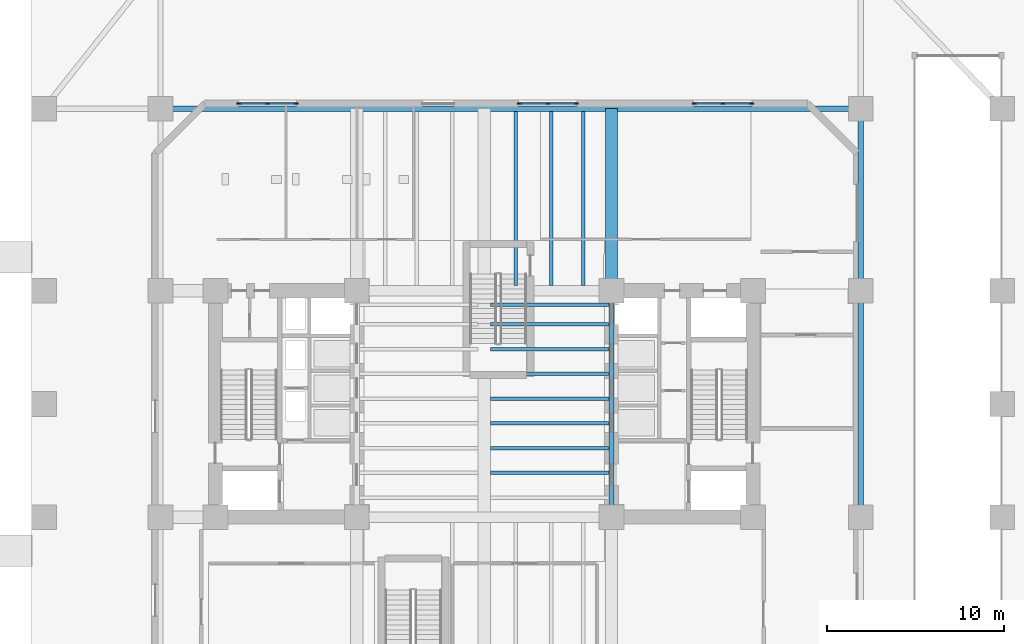
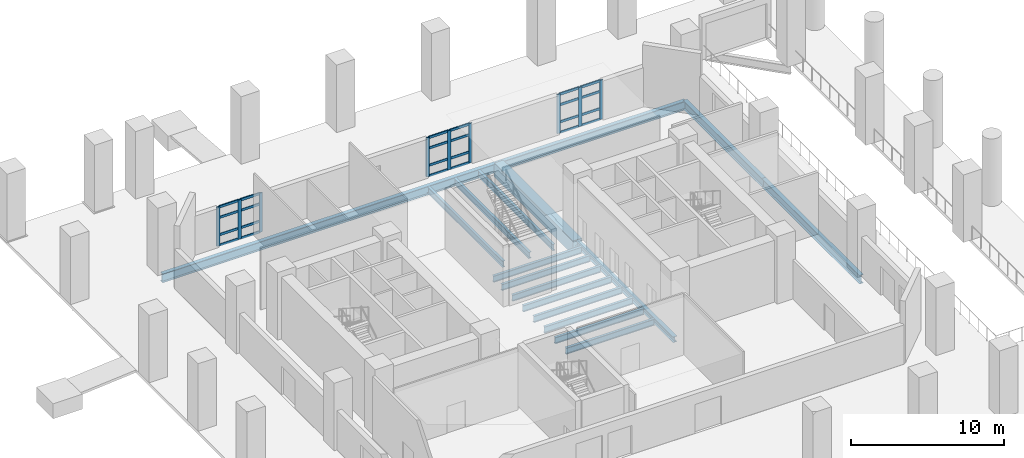
# One storey, part 2 of 12: 33 members, 16 beams, 3 elements without a shape of their own.
"""IFC4 building model written with IfcOpenShell, lengths in metres."""

from ifc_helpers import new_model, si_unit, direction, frame, origin, origin_2d, place, context, subcontext, project, spatial, rectangle, i_section, extrude, material, layer, layer_set, material_profile, profile_set, type_object, element, aggregate, save


model = new_model("IFC4")

# Units and contexts
model_context = context("Model", 3, precision=1e-05, world=origin(), true_north=direction((0.0, 1.0)))
body_context = subcontext(model_context, "Body", "Model", "MODEL_VIEW")
ifc_project = project(units=[si_unit("LENGTHUNIT", "METRE"), si_unit("AREAUNIT", "SQUARE_METRE"), si_unit("VOLUMEUNIT", "CUBIC_METRE"), si_unit("PLANEANGLEUNIT", "RADIAN"), si_unit("MASSUNIT", "GRAM", prefix="KILO")], contexts=[model_context])

# Site, building, storey
site_placement = place(None, origin())
site = spatial("IfcSite", under=ifc_project, at=site_placement, CompositionType="ELEMENT")
building_placement = place(site_placement, origin())
building = spatial("IfcBuilding", under=site, at=building_placement, Name="Kranthara Brick Stack", CompositionType="ELEMENT")
storey_placement = place(building_placement, origin())
storey = spatial("IfcBuildingStorey", under=building, at=storey_placement, Name="L00", CompositionType="ELEMENT", Elevation=0.0)

# Beams
ifc_material_1 = material(Name="Steel S355", Category="steel")
ifc_material_profile_1 = material_profile(ifc_material_1, i_section(OverallWidth=0.199951171875, OverallDepth=0.5, WebThickness=0.01025390625, FlangeThickness=0.01611328125, at=origin_2d()), Name="IPE 500")
ifc_profile_set_1 = profile_set([ifc_material_profile_1], Name="Steel S355")
beam_type_1 = type_object("IfcBeamType", Name="BM-JST-IPE500", PredefinedType="JOIST", material=ifc_profile_set_1)
for number, where, z_axis, x_axis, name in (
    (1, (28.35009765625, 23.300048828125, -0.699951171875), (1.0, 0.0, 0.0), (0.0, 1.0, 0.0), "L00 Central Floor Joist 035"),
    (2, (28.35009765625, 24.699951171875, -0.699951171875), (1.0, 0.0, 0.0), (0.0, 1.0, 0.0), "L00 Central Floor Joist 037"),
    (3, (28.35009765625, 26.10009765625, -0.699951171875), (1.0, 0.0, 0.0), (0.0, 1.0, 0.0), "L00 Central Floor Joist 039"),
    (4, (28.35009765625, 27.5, -0.699951171875), (1.0, 0.0, 0.0), (0.0, 1.0, 0.0), "L00 Central Floor Joist 041"),
    (5, (28.35009765625, 28.89990234375, -0.699951171875), (1.0, 0.0, 0.0), (0.0, 1.0, 0.0), "L00 Central Floor Joist 043"),
    (6, (28.35009765625, 30.300048828125, -0.699951171875), (1.0, 0.0, 0.0), (0.0, 1.0, 0.0), "L00 Central Floor Joist 045"),
    (7, (28.35009765625, 31.699951171875, -0.699951171875), (1.0, 0.0, 0.0), (0.0, 1.0, 0.0), "L00 Central Floor Joist 047"),
    (8, (28.35009765625, 32.800048828125, -0.699951171875), (1.0, 0.0, 0.0), (0.0, 1.0, 0.0), "L00 Central Floor Joist 049"),
):
    element("IfcBeam", number, at=place(storey_placement, frame(where, z_axis=z_axis, x_axis=x_axis)), inside=storey, type_object=beam_type_1, Name=name, PredefinedType="JOIST", context=body_context, shape_type="SweptSolid", body=[
        extrude(i_section(OverallWidth=0.199951171875, OverallDepth=0.5, WebThickness=0.01025390625, FlangeThickness=0.01611328125, at=origin_2d()), origin(), (0.0, 0.0, 1.0), 6.699951171875),
    ])
for number, where, z_axis, x_axis, name in (
    (9, (29.800048828125, 33.89990234375, -0.699951171875), (0.0, 1.0, 0.0), (-1.0, 0.0, 0.0), "L00 North Wing Floor Joist 055"),
    (10, (31.800048828125, 33.89990234375, -0.699951171875), (0.0, 1.0, 0.0), (-1.0, 0.0, 0.0), "L00 North Wing Floor Joist 057"),
    (11, (33.60009765625, 33.89990234375, -0.699951171875), (0.0, 1.0, 0.0), (-1.0, 0.0, 0.0), "L00 North Wing Floor Joist 059"),
):
    element("IfcBeam", number, at=place(storey_placement, frame(where, z_axis=z_axis, x_axis=x_axis)), inside=storey, type_object=beam_type_1, Name=name, PredefinedType="JOIST", context=body_context, shape_type="SweptSolid", body=[
        extrude(i_section(OverallWidth=0.199951171875, OverallDepth=0.5, WebThickness=0.01025390625, FlangeThickness=0.01611328125, at=origin_2d()), origin(), (0.0, 0.0, 1.0), 9.85009765625),
    ])
ifc_material_2 = material(Name="Post-tensioned concrete C45/55", Category="concrete")
ifc_material_profile_2 = material_profile(ifc_material_2, rectangle(XDim=0.699951171875, YDim=1.10009765625, at=origin_2d()), Name="PT 700x1100")
ifc_profile_set_2 = profile_set([ifc_material_profile_2], Name="Post-tensioned concrete C45/55")
beam_type_2 = type_object("IfcBeamType", Name="BM-POD-PT1100", PredefinedType="BEAM", material=ifc_profile_set_2)
beam_1_placement = place(storey_placement, frame((35.199951171875, 33.60009765625, -1.0), z_axis=(0.0, 1.0, 0.0), x_axis=(-1.0, 0.0, 0.0)))
element("IfcBeam", 12, at=beam_1_placement, inside=storey, type_object=beam_type_2, Name="L00 Primary Grid Girder 029", PredefinedType="BEAM", context=body_context, shape_type="SweptSolid", body=[
    extrude(rectangle(XDim=0.699951171875, YDim=1.10009765625, at=origin_2d()), origin(), (0.0, 0.0, 1.0), 10.2998046875),
])
ifc_material_3 = material(Name="Steel S355", Category="steel")
ifc_material_profile_3 = material_profile(ifc_material_3, i_section(OverallWidth=0.300048828125, OverallDepth=0.449951171875, WebThickness=0.013916015625, FlangeThickness=0.02587890625, at=origin_2d()), Name="HEB 450")
ifc_profile_set_3 = profile_set([ifc_material_profile_3], Name="Steel S355")
beam_type_3 = type_object("IfcBeamType", Name="BM-STL-HEB450", PredefinedType="SPANDREL", material=ifc_profile_set_3)
beam_2_placement = place(storey_placement, frame((35.199951171875, 20.800048828125, -0.675048828125), z_axis=(0.0, 1.0, 0.0), x_axis=(-1.0, 0.0, 0.0)))
element("IfcBeam", 13, at=beam_2_placement, inside=storey, type_object=beam_type_3, Name="L00 Core Edge Tie Beam 004", PredefinedType="SPANDREL", context=body_context, shape_type="SweptSolid", body=[
    extrude(i_section(OverallWidth=0.300048828125, OverallDepth=0.449951171875, WebThickness=0.013916015625, FlangeThickness=0.02587890625, at=origin_2d()), origin(), (0.0, 0.0, 1.0), 12.800048828125),
])
ifc_material_4 = material(Name="Steel S355", Category="steel")
ifc_material_profile_4 = material_profile(ifc_material_4, i_section(OverallWidth=0.300048828125, OverallDepth=0.699951171875, WebThickness=0.01708984375, FlangeThickness=0.031982421875, at=origin_2d()), Name="HEB 700")
ifc_profile_set_4 = profile_set([ifc_material_profile_4], Name="Steel S355")
beam_type_4 = type_object("IfcBeamType", Name="BM-STL-HEB700", PredefinedType="BEAM", material=ifc_profile_set_4)
beam_3_placement = place(storey_placement, frame((9.699951171875, 43.89990234375, -0.800048828125), z_axis=(1.0, 0.0, 0.0), x_axis=(0.0, 1.0, 0.0)))
element("IfcBeam", 14, at=beam_3_placement, inside=storey, type_object=beam_type_4, Name="L00 Perimeter Spandrel Beam 008", PredefinedType="BEAM", context=body_context, shape_type="SweptSolid", body=[
    extrude(i_section(OverallWidth=0.300048828125, OverallDepth=0.699951171875, WebThickness=0.01708984375, FlangeThickness=0.031982421875, at=origin_2d()), origin(), (0.0, 0.0, 1.0), 39.60009765625),
])
beam_4_placement = place(storey_placement, frame((49.300048828125, 20.800048828125, -0.800048828125), z_axis=(0.0, 1.0, 0.0), x_axis=(-1.0, 0.0, 0.0)))
element("IfcBeam", 15, at=beam_4_placement, inside=storey, type_object=beam_type_4, Name="L00 Perimeter Spandrel Beam 016", PredefinedType="BEAM", context=body_context, shape_type="SweptSolid", body=[
    extrude(i_section(OverallWidth=0.300048828125, OverallDepth=0.699951171875, WebThickness=0.01708984375, FlangeThickness=0.031982421875, at=origin_2d()), origin(), (0.0, 0.0, 1.0), 12.800048828125),
])
beam_5_placement = place(storey_placement, frame((49.300048828125, 33.60009765625, -0.800048828125), z_axis=(0.0, 1.0, 0.0), x_axis=(-1.0, 0.0, 0.0)))
element("IfcBeam", 16, at=beam_5_placement, inside=storey, type_object=beam_type_4, Name="L00 Perimeter Spandrel Beam 017", PredefinedType="BEAM", context=body_context, shape_type="SweptSolid", body=[
    extrude(i_section(OverallWidth=0.300048828125, OverallDepth=0.699951171875, WebThickness=0.01708984375, FlangeThickness=0.031982421875, at=origin_2d()), origin(), (0.0, 0.0, 1.0), 10.2998046875),
])

# Curtain wall, members
ifc_material_5 = material(Name="Bronze anodised aluminium and low-E glass", Category="aluminium")
ifc_layer = layer(ifc_material_5, 0.25)
ifc_layer_set = layer_set([ifc_layer], Name="Bronze anodised aluminium and low-E glass")
curtain_wall_type = type_object("IfcCurtainWallType", Name="CW-SYS1-CONCOURSE", PredefinedType="USERDEFINED", material=ifc_layer_set)
curtain_wall_1_placement = place(storey_placement, origin())
curtain_wall_1 = element("IfcCurtainWall", 17, at=curtain_wall_1_placement, inside=storey, type_object=curtain_wall_type, Name="L00 Curtain Wall CW1-L00-01", ObjectType="UNITISED CURTAIN WALL", PredefinedType="USERDEFINED")
ifc_material_6 = material(Name="Bronze anodised aluminium 6063-T6", Category="aluminium")
ifc_material_profile_5 = material_profile(ifc_material_6, rectangle(XDim=0.080078125, YDim=0.25, at=origin_2d()), Name="ALU MULLION 80x250")
ifc_profile_set_5 = profile_set([ifc_material_profile_5], Name="Bronze anodised aluminium 6063-T6")
member_type_1 = type_object("IfcMemberType", Name="CWM-80x250", PredefinedType="MULLION", material=ifc_profile_set_5)
member_1_placement = place(storey_placement, frame((14.139892578125, 44.18994140625, 0.0), z_axis=(0.0, 0.0, 1.0), x_axis=(0.0, 1.0, 0.0)))
member_1 = element("IfcMember", 18, at=member_1_placement, type_object=member_type_1, Name="CW mullion 1", PredefinedType="MULLION", context=body_context, shape_type="SweptSolid", body=[
    extrude(rectangle(XDim=0.080078125, YDim=0.25, at=origin_2d()), origin(), (0.0, 0.0, 1.0), 3.135009765625),
])
member_2_placement = place(storey_placement, frame((15.75, 44.18994140625, 0.0), z_axis=(0.0, 0.0, 1.0), x_axis=(0.0, 1.0, 0.0)))
member_2 = element("IfcMember", 19, at=member_2_placement, type_object=member_type_1, Name="CW mullion 2", PredefinedType="MULLION", context=body_context, shape_type="SweptSolid", body=[
    extrude(rectangle(XDim=0.080078125, YDim=0.25, at=origin_2d()), origin(), (0.0, 0.0, 1.0), 3.135009765625),
])
member_3_placement = place(storey_placement, frame((17.360107421875, 44.18994140625, 0.0), z_axis=(0.0, 0.0, 1.0), x_axis=(0.0, 1.0, 0.0)))
member_3 = element("IfcMember", 20, at=member_3_placement, type_object=member_type_1, Name="CW mullion 3", PredefinedType="MULLION", context=body_context, shape_type="SweptSolid", body=[
    extrude(rectangle(XDim=0.080078125, YDim=0.25, at=origin_2d()), origin(), (0.0, 0.0, 1.0), 3.135009765625),
])

curtain_wall_2_placement = place(storey_placement, origin())
curtain_wall_2 = element("IfcCurtainWall", 21, at=curtain_wall_2_placement, inside=storey, type_object=curtain_wall_type, Name="L00 Curtain Wall CW1-L00-02", ObjectType="UNITISED CURTAIN WALL", PredefinedType="USERDEFINED")
member_4_placement = place(storey_placement, frame((29.989990234375, 44.18994140625, 0.0), z_axis=(0.0, 0.0, 1.0), x_axis=(0.0, 1.0, 0.0)))
member_4 = element("IfcMember", 22, at=member_4_placement, type_object=member_type_1, Name="CW mullion 1", PredefinedType="MULLION", context=body_context, shape_type="SweptSolid", body=[
    extrude(rectangle(XDim=0.080078125, YDim=0.25, at=origin_2d()), origin(), (0.0, 0.0, 1.0), 3.135009765625),
])
member_5_placement = place(storey_placement, frame((31.60009765625, 44.18994140625, 0.0), z_axis=(0.0, 0.0, 1.0), x_axis=(0.0, 1.0, 0.0)))
member_5 = element("IfcMember", 23, at=member_5_placement, type_object=member_type_1, Name="CW mullion 2", PredefinedType="MULLION", context=body_context, shape_type="SweptSolid", body=[
    extrude(rectangle(XDim=0.080078125, YDim=0.25, at=origin_2d()), origin(), (0.0, 0.0, 1.0), 3.135009765625),
])
member_6_placement = place(storey_placement, frame((33.2099609375, 44.18994140625, 0.0), z_axis=(0.0, 0.0, 1.0), x_axis=(0.0, 1.0, 0.0)))
member_6 = element("IfcMember", 24, at=member_6_placement, type_object=member_type_1, Name="CW mullion 3", PredefinedType="MULLION", context=body_context, shape_type="SweptSolid", body=[
    extrude(rectangle(XDim=0.080078125, YDim=0.25, at=origin_2d()), origin(), (0.0, 0.0, 1.0), 3.135009765625),
])

curtain_wall_3_placement = place(storey_placement, origin())
curtain_wall_3 = element("IfcCurtainWall", 25, at=curtain_wall_3_placement, inside=storey, type_object=curtain_wall_type, Name="L00 Curtain Wall CW1-L00-03", ObjectType="UNITISED CURTAIN WALL", PredefinedType="USERDEFINED")
member_7_placement = place(storey_placement, frame((39.889892578125, 44.18994140625, 0.0), z_axis=(0.0, 0.0, 1.0), x_axis=(0.0, 1.0, 0.0)))
member_7 = element("IfcMember", 26, at=member_7_placement, type_object=member_type_1, Name="CW mullion 1", PredefinedType="MULLION", context=body_context, shape_type="SweptSolid", body=[
    extrude(rectangle(XDim=0.080078125, YDim=0.25, at=origin_2d()), origin(), (0.0, 0.0, 1.0), 3.135009765625),
])
member_8_placement = place(storey_placement, frame((41.5, 44.18994140625, 0.0), z_axis=(0.0, 0.0, 1.0), x_axis=(0.0, 1.0, 0.0)))
member_8 = element("IfcMember", 27, at=member_8_placement, type_object=member_type_1, Name="CW mullion 2", PredefinedType="MULLION", context=body_context, shape_type="SweptSolid", body=[
    extrude(rectangle(XDim=0.080078125, YDim=0.25, at=origin_2d()), origin(), (0.0, 0.0, 1.0), 3.135009765625),
])
member_9_placement = place(storey_placement, frame((43.110107421875, 44.18994140625, 0.0), z_axis=(0.0, 0.0, 1.0), x_axis=(0.0, 1.0, 0.0)))
member_9 = element("IfcMember", 28, at=member_9_placement, type_object=member_type_1, Name="CW mullion 3", PredefinedType="MULLION", context=body_context, shape_type="SweptSolid", body=[
    extrude(rectangle(XDim=0.080078125, YDim=0.25, at=origin_2d()), origin(), (0.0, 0.0, 1.0), 3.135009765625),
])

# Member
ifc_material_7 = material(Name="Bronze anodised aluminium 6063-T6", Category="aluminium")
ifc_material_profile_6 = material_profile(ifc_material_7, rectangle(XDim=0.080078125, YDim=0.18994140625, at=origin_2d()), Name="ALU TRANSOM 80x190")
ifc_profile_set_6 = profile_set([ifc_material_profile_6], Name="Bronze anodised aluminium 6063-T6")
member_type_2 = type_object("IfcMemberType", Name="CWT-80x190", PredefinedType="USERDEFINED", material=ifc_profile_set_6)
member_10_placement = place(storey_placement, frame((14.179931640625, 44.18994140625, 0.0400390625), z_axis=(1.0, 0.0, 0.0), x_axis=(0.0, 1.0, 0.0)))
member_10 = element("IfcMember", 29, at=member_10_placement, type_object=member_type_2, Name="CW transom 1.1", ObjectType="TRANSOM", PredefinedType="USERDEFINED", context=body_context, shape_type="SweptSolid", body=[
    extrude(rectangle(XDim=0.080078125, YDim=0.18994140625, at=origin_2d()), origin(), (0.0, 0.0, 1.0), 1.530029296875),
])

member_11_placement = place(storey_placement, frame((14.179931640625, 44.18994140625, 0.877685546875), z_axis=(1.0, 0.0, 0.0), x_axis=(0.0, 1.0, 0.0)))
member_11 = element("IfcMember", 30, at=member_11_placement, type_object=member_type_2, Name="CW transom 1.2", ObjectType="TRANSOM", PredefinedType="USERDEFINED", context=body_context, shape_type="SweptSolid", body=[
    extrude(rectangle(XDim=0.080078125, YDim=0.18994140625, at=origin_2d()), origin(), (0.0, 0.0, 1.0), 1.530029296875),
])

member_12_placement = place(storey_placement, frame((14.179931640625, 44.18994140625, 2.257080078125), z_axis=(1.0, 0.0, 0.0), x_axis=(0.0, 1.0, 0.0)))
member_12 = element("IfcMember", 31, at=member_12_placement, type_object=member_type_2, Name="CW transom 1.3", ObjectType="TRANSOM", PredefinedType="USERDEFINED", context=body_context, shape_type="SweptSolid", body=[
    extrude(rectangle(XDim=0.080078125, YDim=0.18994140625, at=origin_2d()), origin(), (0.0, 0.0, 1.0), 1.530029296875),
])

member_13_placement = place(storey_placement, frame((14.179931640625, 44.18994140625, 3.094970703125), z_axis=(1.0, 0.0, 0.0), x_axis=(0.0, 1.0, 0.0)))
member_13 = element("IfcMember", 32, at=member_13_placement, type_object=member_type_2, Name="CW transom 1.4", ObjectType="TRANSOM", PredefinedType="USERDEFINED", context=body_context, shape_type="SweptSolid", body=[
    extrude(rectangle(XDim=0.080078125, YDim=0.18994140625, at=origin_2d()), origin(), (0.0, 0.0, 1.0), 1.530029296875),
])

member_14_placement = place(storey_placement, frame((15.7900390625, 44.18994140625, 0.0400390625), z_axis=(1.0, 0.0, 0.0), x_axis=(0.0, 1.0, 0.0)))
member_14 = element("IfcMember", 33, at=member_14_placement, type_object=member_type_2, Name="CW transom 2.1", ObjectType="TRANSOM", PredefinedType="USERDEFINED", context=body_context, shape_type="SweptSolid", body=[
    extrude(rectangle(XDim=0.080078125, YDim=0.18994140625, at=origin_2d()), origin(), (0.0, 0.0, 1.0), 1.530029296875),
])

member_15_placement = place(storey_placement, frame((15.7900390625, 44.18994140625, 0.877685546875), z_axis=(1.0, 0.0, 0.0), x_axis=(0.0, 1.0, 0.0)))
member_15 = element("IfcMember", 34, at=member_15_placement, type_object=member_type_2, Name="CW transom 2.2", ObjectType="TRANSOM", PredefinedType="USERDEFINED", context=body_context, shape_type="SweptSolid", body=[
    extrude(rectangle(XDim=0.080078125, YDim=0.18994140625, at=origin_2d()), origin(), (0.0, 0.0, 1.0), 1.530029296875),
])

member_16_placement = place(storey_placement, frame((15.7900390625, 44.18994140625, 2.257080078125), z_axis=(1.0, 0.0, 0.0), x_axis=(0.0, 1.0, 0.0)))
member_16 = element("IfcMember", 35, at=member_16_placement, type_object=member_type_2, Name="CW transom 2.3", ObjectType="TRANSOM", PredefinedType="USERDEFINED", context=body_context, shape_type="SweptSolid", body=[
    extrude(rectangle(XDim=0.080078125, YDim=0.18994140625, at=origin_2d()), origin(), (0.0, 0.0, 1.0), 1.530029296875),
])

member_17_placement = place(storey_placement, frame((15.7900390625, 44.18994140625, 3.094970703125), z_axis=(1.0, 0.0, 0.0), x_axis=(0.0, 1.0, 0.0)))
member_17 = element("IfcMember", 36, at=member_17_placement, type_object=member_type_2, Name="CW transom 2.4", ObjectType="TRANSOM", PredefinedType="USERDEFINED", context=body_context, shape_type="SweptSolid", body=[
    extrude(rectangle(XDim=0.080078125, YDim=0.18994140625, at=origin_2d()), origin(), (0.0, 0.0, 1.0), 1.530029296875),
])

aggregate(curtain_wall_1, [member_1, member_2, member_3, member_10, member_11, member_12, member_13, member_14, member_15, member_16, member_17])

member_18_placement = place(storey_placement, frame((30.030029296875, 44.18994140625, 0.0400390625), z_axis=(1.0, 0.0, 0.0), x_axis=(0.0, 1.0, 0.0)))
member_18 = element("IfcMember", 37, at=member_18_placement, type_object=member_type_2, Name="CW transom 1.1", ObjectType="TRANSOM", PredefinedType="USERDEFINED", context=body_context, shape_type="SweptSolid", body=[
    extrude(rectangle(XDim=0.080078125, YDim=0.18994140625, at=origin_2d()), origin(), (0.0, 0.0, 1.0), 1.530029296875),
])

member_19_placement = place(storey_placement, frame((30.030029296875, 44.18994140625, 0.877685546875), z_axis=(1.0, 0.0, 0.0), x_axis=(0.0, 1.0, 0.0)))
member_19 = element("IfcMember", 38, at=member_19_placement, type_object=member_type_2, Name="CW transom 1.2", ObjectType="TRANSOM", PredefinedType="USERDEFINED", context=body_context, shape_type="SweptSolid", body=[
    extrude(rectangle(XDim=0.080078125, YDim=0.18994140625, at=origin_2d()), origin(), (0.0, 0.0, 1.0), 1.530029296875),
])

member_20_placement = place(storey_placement, frame((30.030029296875, 44.18994140625, 2.257080078125), z_axis=(1.0, 0.0, 0.0), x_axis=(0.0, 1.0, 0.0)))
member_20 = element("IfcMember", 39, at=member_20_placement, type_object=member_type_2, Name="CW transom 1.3", ObjectType="TRANSOM", PredefinedType="USERDEFINED", context=body_context, shape_type="SweptSolid", body=[
    extrude(rectangle(XDim=0.080078125, YDim=0.18994140625, at=origin_2d()), origin(), (0.0, 0.0, 1.0), 1.530029296875),
])

member_21_placement = place(storey_placement, frame((30.030029296875, 44.18994140625, 3.094970703125), z_axis=(1.0, 0.0, 0.0), x_axis=(0.0, 1.0, 0.0)))
member_21 = element("IfcMember", 40, at=member_21_placement, type_object=member_type_2, Name="CW transom 1.4", ObjectType="TRANSOM", PredefinedType="USERDEFINED", context=body_context, shape_type="SweptSolid", body=[
    extrude(rectangle(XDim=0.080078125, YDim=0.18994140625, at=origin_2d()), origin(), (0.0, 0.0, 1.0), 1.530029296875),
])

member_22_placement = place(storey_placement, frame((31.639892578125, 44.18994140625, 0.0400390625), z_axis=(1.0, 0.0, 0.0), x_axis=(0.0, 1.0, 0.0)))
member_22 = element("IfcMember", 41, at=member_22_placement, type_object=member_type_2, Name="CW transom 2.1", ObjectType="TRANSOM", PredefinedType="USERDEFINED", context=body_context, shape_type="SweptSolid", body=[
    extrude(rectangle(XDim=0.080078125, YDim=0.18994140625, at=origin_2d()), origin(), (0.0, 0.0, 1.0), 1.530029296875),
])

member_23_placement = place(storey_placement, frame((31.639892578125, 44.18994140625, 0.877685546875), z_axis=(1.0, 0.0, 0.0), x_axis=(0.0, 1.0, 0.0)))
member_23 = element("IfcMember", 42, at=member_23_placement, type_object=member_type_2, Name="CW transom 2.2", ObjectType="TRANSOM", PredefinedType="USERDEFINED", context=body_context, shape_type="SweptSolid", body=[
    extrude(rectangle(XDim=0.080078125, YDim=0.18994140625, at=origin_2d()), origin(), (0.0, 0.0, 1.0), 1.530029296875),
])

member_24_placement = place(storey_placement, frame((31.639892578125, 44.18994140625, 2.257080078125), z_axis=(1.0, 0.0, 0.0), x_axis=(0.0, 1.0, 0.0)))
member_24 = element("IfcMember", 43, at=member_24_placement, type_object=member_type_2, Name="CW transom 2.3", ObjectType="TRANSOM", PredefinedType="USERDEFINED", context=body_context, shape_type="SweptSolid", body=[
    extrude(rectangle(XDim=0.080078125, YDim=0.18994140625, at=origin_2d()), origin(), (0.0, 0.0, 1.0), 1.530029296875),
])

member_25_placement = place(storey_placement, frame((31.639892578125, 44.18994140625, 3.094970703125), z_axis=(1.0, 0.0, 0.0), x_axis=(0.0, 1.0, 0.0)))
member_25 = element("IfcMember", 44, at=member_25_placement, type_object=member_type_2, Name="CW transom 2.4", ObjectType="TRANSOM", PredefinedType="USERDEFINED", context=body_context, shape_type="SweptSolid", body=[
    extrude(rectangle(XDim=0.080078125, YDim=0.18994140625, at=origin_2d()), origin(), (0.0, 0.0, 1.0), 1.530029296875),
])

aggregate(curtain_wall_2, [member_4, member_5, member_6, member_18, member_19, member_20, member_21, member_22, member_23, member_24, member_25])

member_26_placement = place(storey_placement, frame((39.929931640625, 44.18994140625, 0.0400390625), z_axis=(1.0, 0.0, 0.0), x_axis=(0.0, 1.0, 0.0)))
member_26 = element("IfcMember", 45, at=member_26_placement, type_object=member_type_2, Name="CW transom 1.1", ObjectType="TRANSOM", PredefinedType="USERDEFINED", context=body_context, shape_type="SweptSolid", body=[
    extrude(rectangle(XDim=0.080078125, YDim=0.18994140625, at=origin_2d()), origin(), (0.0, 0.0, 1.0), 1.530029296875),
])

member_27_placement = place(storey_placement, frame((39.929931640625, 44.18994140625, 0.877685546875), z_axis=(1.0, 0.0, 0.0), x_axis=(0.0, 1.0, 0.0)))
member_27 = element("IfcMember", 46, at=member_27_placement, type_object=member_type_2, Name="CW transom 1.2", ObjectType="TRANSOM", PredefinedType="USERDEFINED", context=body_context, shape_type="SweptSolid", body=[
    extrude(rectangle(XDim=0.080078125, YDim=0.18994140625, at=origin_2d()), origin(), (0.0, 0.0, 1.0), 1.530029296875),
])

member_28_placement = place(storey_placement, frame((39.929931640625, 44.18994140625, 2.257080078125), z_axis=(1.0, 0.0, 0.0), x_axis=(0.0, 1.0, 0.0)))
member_28 = element("IfcMember", 47, at=member_28_placement, type_object=member_type_2, Name="CW transom 1.3", ObjectType="TRANSOM", PredefinedType="USERDEFINED", context=body_context, shape_type="SweptSolid", body=[
    extrude(rectangle(XDim=0.080078125, YDim=0.18994140625, at=origin_2d()), origin(), (0.0, 0.0, 1.0), 1.530029296875),
])

member_29_placement = place(storey_placement, frame((39.929931640625, 44.18994140625, 3.094970703125), z_axis=(1.0, 0.0, 0.0), x_axis=(0.0, 1.0, 0.0)))
member_29 = element("IfcMember", 48, at=member_29_placement, type_object=member_type_2, Name="CW transom 1.4", ObjectType="TRANSOM", PredefinedType="USERDEFINED", context=body_context, shape_type="SweptSolid", body=[
    extrude(rectangle(XDim=0.080078125, YDim=0.18994140625, at=origin_2d()), origin(), (0.0, 0.0, 1.0), 1.530029296875),
])

member_30_placement = place(storey_placement, frame((41.5400390625, 44.18994140625, 0.0400390625), z_axis=(1.0, 0.0, 0.0), x_axis=(0.0, 1.0, 0.0)))
member_30 = element("IfcMember", 49, at=member_30_placement, type_object=member_type_2, Name="CW transom 2.1", ObjectType="TRANSOM", PredefinedType="USERDEFINED", context=body_context, shape_type="SweptSolid", body=[
    extrude(rectangle(XDim=0.080078125, YDim=0.18994140625, at=origin_2d()), origin(), (0.0, 0.0, 1.0), 1.530029296875),
])

member_31_placement = place(storey_placement, frame((41.5400390625, 44.18994140625, 0.877685546875), z_axis=(1.0, 0.0, 0.0), x_axis=(0.0, 1.0, 0.0)))
member_31 = element("IfcMember", 50, at=member_31_placement, type_object=member_type_2, Name="CW transom 2.2", ObjectType="TRANSOM", PredefinedType="USERDEFINED", context=body_context, shape_type="SweptSolid", body=[
    extrude(rectangle(XDim=0.080078125, YDim=0.18994140625, at=origin_2d()), origin(), (0.0, 0.0, 1.0), 1.530029296875),
])

member_32_placement = place(storey_placement, frame((41.5400390625, 44.18994140625, 2.257080078125), z_axis=(1.0, 0.0, 0.0), x_axis=(0.0, 1.0, 0.0)))
member_32 = element("IfcMember", 51, at=member_32_placement, type_object=member_type_2, Name="CW transom 2.3", ObjectType="TRANSOM", PredefinedType="USERDEFINED", context=body_context, shape_type="SweptSolid", body=[
    extrude(rectangle(XDim=0.080078125, YDim=0.18994140625, at=origin_2d()), origin(), (0.0, 0.0, 1.0), 1.530029296875),
])

member_33_placement = place(storey_placement, frame((41.5400390625, 44.18994140625, 3.094970703125), z_axis=(1.0, 0.0, 0.0), x_axis=(0.0, 1.0, 0.0)))
member_33 = element("IfcMember", 52, at=member_33_placement, type_object=member_type_2, Name="CW transom 2.4", ObjectType="TRANSOM", PredefinedType="USERDEFINED", context=body_context, shape_type="SweptSolid", body=[
    extrude(rectangle(XDim=0.080078125, YDim=0.18994140625, at=origin_2d()), origin(), (0.0, 0.0, 1.0), 1.530029296875),
])

aggregate(curtain_wall_3, [member_7, member_8, member_9, member_26, member_27, member_28, member_29, member_30, member_31, member_32, member_33])

save(model, "model.ifc")
